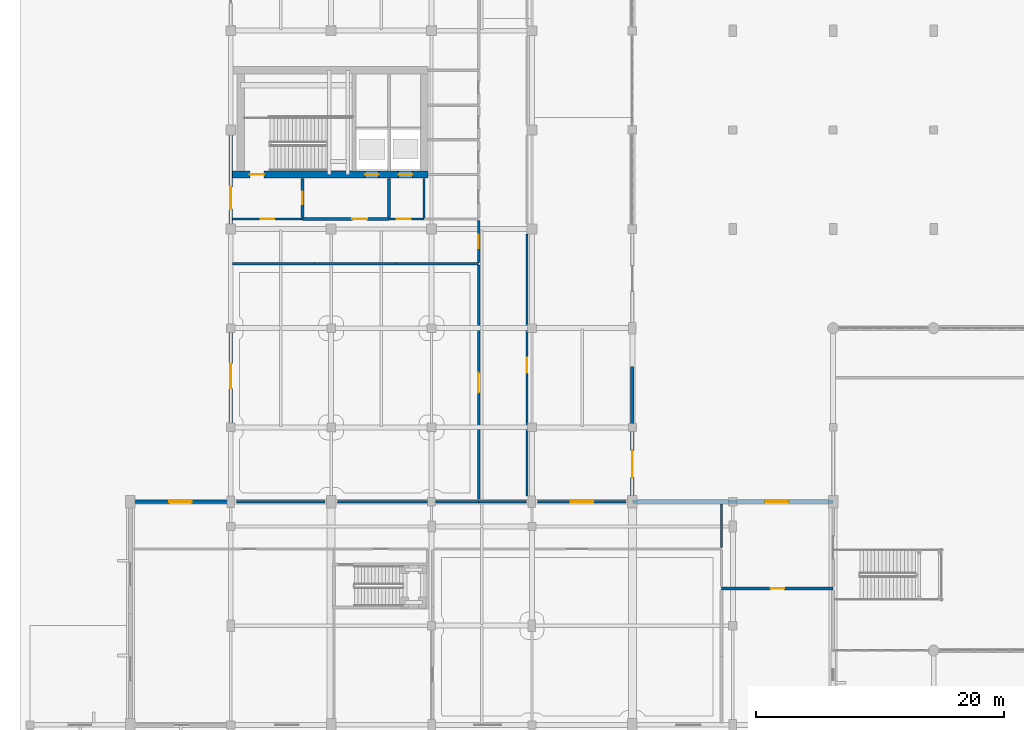
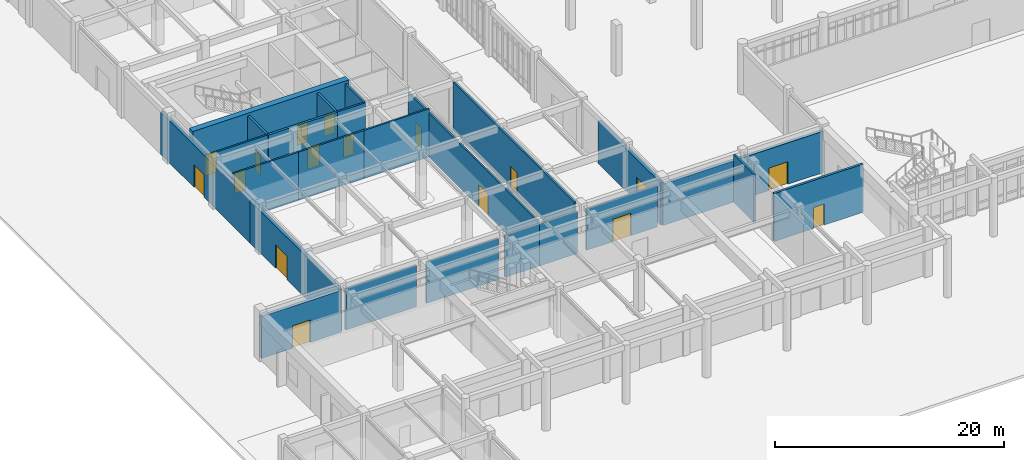
# One storey, part 42 of 62: 25 walls, 17 doors, 17 openings.
"""IFC4 building model written with IfcOpenShell, lengths in metres."""

from ifc_helpers import new_model, si_unit, direction, frame, frame_2d, origin, place, context, subcontext, project, spatial, rectangle, extrude, material, layer, layer_set, type_object, element, fill, save


model = new_model("IFC4")

# Units and contexts
model_context = context("Model", 3, precision=1e-05, world=origin(), true_north=direction((0.0, 1.0)))
body_context = subcontext(model_context, "Body", "Model", "MODEL_VIEW")
ifc_project = project(units=[si_unit("LENGTHUNIT", "METRE"), si_unit("AREAUNIT", "SQUARE_METRE"), si_unit("VOLUMEUNIT", "CUBIC_METRE"), si_unit("PLANEANGLEUNIT", "RADIAN"), si_unit("MASSUNIT", "GRAM", prefix="KILO")], contexts=[model_context])

# Site, building, storey
site_placement = place(None, origin())
site = spatial("IfcSite", under=ifc_project, at=site_placement, CompositionType="ELEMENT")
building_placement = place(site_placement, origin())
building = spatial("IfcBuilding", under=site, at=building_placement, Name="Tarnveldt Square Police Headquarters", CompositionType="ELEMENT")
storey_placement = place(building_placement, origin())
storey = spatial("IfcBuildingStorey", under=building, at=storey_placement, Name="L00", CompositionType="ELEMENT", Elevation=0.0)

# Wall, openings, doors
ifc_material_1 = material(Name="Concrete 50 MPa", Category="concrete")
ifc_layer_1 = layer(ifc_material_1, 0.60009765625)
ifc_layer_set_1 = layer_set([ifc_layer_1], Name="Concrete 50 MPa")
wall_type_1 = type_object("IfcWallType", Name="WL-CORE-600", PredefinedType="SHEAR", material=ifc_layer_set_1)
wall_1_placement = place(storey_placement, frame((16.360107421875, 60.39990234375, 0.0), z_axis=(0.0, 0.0, 1.0), x_axis=(1.0, 0.0, 0.0)))
wall_1 = element("IfcWall", 1, at=wall_1_placement, inside=storey, type_object=wall_type_1, Name="Core K1 South-West Command and Firefighting Core L00 South Shear Wall", PredefinedType="SHEAR", context=body_context, shape_type="SweptSolid", body=[
    extrude(rectangle(XDim=15.739990234375, YDim=0.60009765625, at=frame_2d((7.8701171875, 0.0))), origin(), (0.0, 0.0, 1.0), 5.39990234375),
])
opening_1_placement = place(wall_1_placement, frame((1.389892578125, 0.0, 0.0)))
opening_1 = element("IfcOpeningElement", 2, at=opening_1_placement, cuts=wall_1, Name="Opening D-ST1-L00", PredefinedType="OPENING", context=body_context, shape_type="SweptSolid", body=[
    extrude(rectangle(XDim=1.14990234375, YDim=2.25, at=frame_2d((0.574951171875, 1.125))), frame((0.0, 0.31005859375, 0.0), z_axis=(0.0, -1.0, 0.0), x_axis=(1.0, 0.0, 0.0)), (0.0, 0.0, 1.0), 0.6201171875),
])
opening_2_placement = place(wall_1_placement, frame((10.672607421875, 0.0, 0.0)))
opening_2 = element("IfcOpeningElement", 3, at=opening_2_placement, cuts=wall_1, Name="Opening LD-LF1-L00", PredefinedType="OPENING", context=body_context, shape_type="SweptSolid", body=[
    extrude(rectangle(XDim=1.10009765625, YDim=2.199951171875, at=frame_2d((0.550048828125, 1.10009765625))), frame((0.0, 0.31005859375, 0.0), z_axis=(0.0, -1.0, 0.0), x_axis=(1.0, 0.0, 0.0)), (0.0, 0.0, 1.0), 0.6201171875),
])
opening_3_placement = place(wall_1_placement, frame((13.387451171875, 0.0, 0.0)))
opening_3 = element("IfcOpeningElement", 4, at=opening_3_placement, cuts=wall_1, Name="Opening LD-LP1-L00", PredefinedType="OPENING", context=body_context, shape_type="SweptSolid", body=[
    extrude(rectangle(XDim=1.10009765625, YDim=2.199951171875, at=frame_2d((0.550048828125, 1.10009765625))), frame((0.0, 0.31005859375, 0.0), z_axis=(0.0, -1.0, 0.0), x_axis=(1.0, 0.0, 0.0)), (0.0, 0.0, 1.0), 0.6201171875),
])
ifc_material_2 = material(Name="Insulated hollow metal steel door leaf", Category="steel")
door_type_1 = type_object("IfcDoorType", Name="DR-FD90-1150", OperationType="NOTDEFINED", PredefinedType="DOOR", material=ifc_material_2)
door_1_placement = place(opening_1_placement, frame((1.14990234375, 0.0, 0.0), z_axis=(0.0, 0.0, 1.0), x_axis=(-1.0, 0.0, 0.0)))
door_1 = element("IfcDoor", 5, at=door_1_placement, inside=storey, type_object=door_type_1, Name="Exit Stair ST1 L00 Fire Door", OperationType="SINGLE_SWING_RIGHT", OverallHeight=2.25, OverallWidth=1.14990234375, PredefinedType="DOOR", context=body_context, shape_type="SweptSolid", body=[
    extrude(rectangle(XDim=1.14990234375, YDim=2.25, at=frame_2d((0.574951171875, 1.125))), frame((0.0, 0.02490234375, 0.0), z_axis=(0.0, -1.0, 0.0), x_axis=(1.0, 0.0, 0.0)), (0.0, 0.0, 1.0), 0.050048828125),
])
fill(opening_1, door_1)
ifc_material_3 = material(Name="Steel 350W", Category="steel")
door_type_2 = type_object("IfcDoorType", Name="DR-LD-1100", OperationType="DOUBLE_DOOR_SLIDING", PredefinedType="DOOR", material=ifc_material_3)
door_2_placement = place(opening_2_placement, frame((1.10009765625, 0.0, 0.0), z_axis=(0.0, 0.0, 1.0), x_axis=(-1.0, 0.0, 0.0)))
door_2 = element("IfcDoor", 6, at=door_2_placement, inside=storey, type_object=door_type_2, Name="Elevator LF1 L00 Sliding Landing Door", OperationType="DOUBLE_DOOR_SLIDING", OverallHeight=2.199951171875, OverallWidth=1.10009765625, PredefinedType="DOOR", context=body_context, shape_type="SweptSolid", body=[
    extrude(rectangle(XDim=1.10009765625, YDim=2.199951171875, at=frame_2d((0.550048828125, 1.10009765625))), frame((0.0, 0.02490234375, 0.0), z_axis=(0.0, -1.0, 0.0), x_axis=(1.0, 0.0, 0.0)), (0.0, 0.0, 1.0), 0.050048828125),
])
fill(opening_2, door_2)
door_3_placement = place(opening_3_placement, frame((1.10009765625, 0.0, 0.0), z_axis=(0.0, 0.0, 1.0), x_axis=(-1.0, 0.0, 0.0)))
door_3 = element("IfcDoor", 7, at=door_3_placement, inside=storey, type_object=door_type_2, Name="Elevator LP1 L00 Sliding Landing Door", OperationType="DOUBLE_DOOR_SLIDING", OverallHeight=2.199951171875, OverallWidth=1.10009765625, PredefinedType="DOOR", context=body_context, shape_type="SweptSolid", body=[
    extrude(rectangle(XDim=1.10009765625, YDim=2.199951171875, at=frame_2d((0.550048828125, 1.10009765625))), frame((0.0, 0.02490234375, 0.0), z_axis=(0.0, -1.0, 0.0), x_axis=(1.0, 0.0, 0.0)), (0.0, 0.0, 1.0), 0.050048828125),
])
fill(opening_3, door_3)

# Wall, opening, door
ifc_material_4 = material(Name="Concrete 40 MPa", Category="concrete")
ifc_layer_2 = layer(ifc_material_4, 0.320068359375)
ifc_layer_set_2 = layer_set([ifc_layer_2], Name="Concrete 40 MPa")
wall_type_2 = type_object("IfcWallType", Name="WL-EXT-BH320", PredefinedType="SOLIDWALL", material=ifc_layer_set_2)
wall_2_placement = place(storey_placement, frame((64.800048828125, 34.0, 0.0), z_axis=(0.0, 0.0, 1.0), x_axis=(-1.0, 0.0, 0.0)))
wall_2 = element("IfcWall", 8, at=wall_2_placement, inside=storey, type_object=wall_type_2, Name="L00 Brutalist Exterior Wall 0027", PredefinedType="SOLIDWALL", context=body_context, shape_type="SweptSolid", body=[
    extrude(rectangle(XDim=16.199951171875, YDim=0.320068359375, at=frame_2d((8.10009765625, 0.0))), origin(), (0.0, 0.0, 1.0), 4.412109375),
])
opening_4_placement = place(wall_2_placement, frame((3.5859375, 0.0, 0.0)))
opening_4 = element("IfcOpeningElement", 9, at=opening_4_placement, cuts=wall_2, Name="Opening D-E11", PredefinedType="OPENING", context=body_context, shape_type="SweptSolid", body=[
    extrude(rectangle(XDim=1.89990234375, YDim=2.39990234375, at=frame_2d((0.949951171875, 1.199951171875))), frame((0.0, 0.169921875, 0.0), z_axis=(0.0, -1.0, 0.0), x_axis=(1.0, 0.0, 0.0)), (0.0, 0.0, 1.0), 0.340087890625),
])
ifc_material_5 = material(Name="Thermally broken anodised aluminium 6063-T6", Category="aluminium")
door_type_3 = type_object("IfcDoorType", Name="DR-EXIT-1900", OperationType="DOUBLE_DOOR_SINGLE_SWING", PredefinedType="DOOR", material=ifc_material_5)
door_4_placement = place(opening_4_placement, frame((1.89990234375, 0.0, 0.0), z_axis=(0.0, 0.0, 1.0), x_axis=(-1.0, 0.0, 0.0)))
door_4 = element("IfcDoor", 10, at=door_4_placement, inside=storey, type_object=door_type_3, Name="Pedestrian Grade Final Exit Door D-E11", OperationType="DOUBLE_DOOR_SINGLE_SWING", OverallHeight=2.39990234375, OverallWidth=1.89990234375, PredefinedType="DOOR", context=body_context, shape_type="SweptSolid", body=[
    extrude(rectangle(XDim=1.89990234375, YDim=2.39990234375, at=frame_2d((0.949951171875, 1.199951171875))), frame((0.0, 0.02490234375, 0.0), z_axis=(0.0, -1.0, 0.0), x_axis=(1.0, 0.0, 0.0)), (0.0, 0.0, 1.0), 0.050048828125),
])
fill(opening_4, door_4)

wall_3_placement = place(storey_placement, frame((16.199951171875, 34.0, 0.0), z_axis=(0.0, 0.0, 1.0), x_axis=(-1.0, 0.0, 0.0)))
wall_3 = element("IfcWall", 11, at=wall_3_placement, inside=storey, type_object=wall_type_2, Name="L00 Brutalist Exterior Wall 0045", PredefinedType="SOLIDWALL", context=body_context, shape_type="SweptSolid", body=[
    extrude(rectangle(XDim=8.099853515625, YDim=0.320068359375, at=frame_2d((4.0498046875, 0.0))), origin(), (0.0, 0.0, 1.0), 4.4619140625),
])
opening_5_placement = place(wall_3_placement, frame((3.14990234375, 0.0, 0.0)))
opening_5 = element("IfcOpeningElement", 12, at=opening_5_placement, cuts=wall_3, Name="Opening D-E22", PredefinedType="OPENING", context=body_context, shape_type="SweptSolid", body=[
    extrude(rectangle(XDim=1.800048828125, YDim=2.39990234375, at=frame_2d((0.89990234375, 1.199951171875))), frame((0.0, 0.169921875, 0.0), z_axis=(0.0, -1.0, 0.0), x_axis=(1.0, 0.0, 0.0)), (0.0, 0.0, 1.0), 0.340087890625),
])
door_type_4 = type_object("IfcDoorType", Name="DR-EXIT-1800", OperationType="DOUBLE_DOOR_SINGLE_SWING", PredefinedType="DOOR", material=ifc_material_5)
door_5_placement = place(opening_5_placement, frame((1.800048828125, 0.0, 0.0), z_axis=(0.0, 0.0, 1.0), x_axis=(-1.0, 0.0, 0.0)))
door_5 = element("IfcDoor", 13, at=door_5_placement, inside=storey, type_object=door_type_4, Name="Exit Stair ST6 Grade Final Exit Door D-E22", OperationType="DOUBLE_DOOR_SINGLE_SWING", OverallHeight=2.39990234375, OverallWidth=1.800048828125, PredefinedType="DOOR", context=body_context, shape_type="SweptSolid", body=[
    extrude(rectangle(XDim=1.800048828125, YDim=2.39990234375, at=frame_2d((0.89990234375, 1.199951171875))), frame((0.0, 0.02490234375, 0.0), z_axis=(0.0, -1.0, 0.0), x_axis=(1.0, 0.0, 0.0)), (0.0, 0.0, 1.0), 0.050048828125),
])
fill(opening_5, door_5)

ifc_material_6 = material(Name="Manganese ironspot clay brick masonry 20 MPa", Category="masonry")
ifc_layer_3 = layer(ifc_material_6, 0.300048828125)
ifc_layer_set_3 = layer_set([ifc_layer_3], Name="Manganese ironspot clay brick masonry 20 MPa")
wall_type_3 = type_object("IfcWallType", Name="WL-EXT-BRK300", PredefinedType="SOLIDWALL", material=ifc_layer_set_3)
wall_4_placement = place(storey_placement, frame((48.60009765625, 34.0, 0.0), z_axis=(0.0, 0.0, 1.0), x_axis=(0.0, 1.0, 0.0)))
wall_4 = element("IfcWall", 14, at=wall_4_placement, inside=storey, type_object=wall_type_3, Name="L00 Brutalist Exterior Wall 0028", PredefinedType="SOLIDWALL", context=body_context, shape_type="SweptSolid", body=[
    extrude(rectangle(XDim=10.909912109375, YDim=0.300048828125, at=frame_2d((5.455078125, 0.0))), origin(), (0.0, 0.0, 1.0), 4.511962890625),
])
opening_6_placement = place(wall_4_placement, frame((1.954833984375, 0.0, 0.0)))
opening_6 = element("IfcOpeningElement", 15, at=opening_6_placement, cuts=wall_4, Name="Opening D-E12", PredefinedType="OPENING", context=body_context, shape_type="SweptSolid", body=[
    extrude(rectangle(XDim=2.199951171875, YDim=2.60009765625, at=frame_2d((1.10009765625, 1.300048828125))), frame((0.0, 0.159912109375, 0.0), z_axis=(0.0, -1.0, 0.0), x_axis=(1.0, 0.0, 0.0)), (0.0, 0.0, 1.0), 0.320068359375),
])
door_type_5 = type_object("IfcDoorType", Name="DR-EXIT-2200", OperationType="DOUBLE_DOOR_SINGLE_SWING", PredefinedType="DOOR", material=ifc_material_5)
door_6_placement = place(opening_6_placement, frame((2.199951171875, 0.0, 0.0), z_axis=(0.0, 0.0, 1.0), x_axis=(-1.0, 0.0, 0.0)))
door_6 = element("IfcDoor", 16, at=door_6_placement, inside=storey, type_object=door_type_5, Name="Pedestrian Grade Final Exit Door D-E12", OperationType="DOUBLE_DOOR_SINGLE_SWING", OverallHeight=2.60009765625, OverallWidth=2.199951171875, PredefinedType="DOOR", context=body_context, shape_type="SweptSolid", body=[
    extrude(rectangle(XDim=2.199951171875, YDim=2.60009765625, at=frame_2d((1.10009765625, 1.300048828125))), frame((0.0, 0.02490234375, 0.0), z_axis=(0.0, -1.0, 0.0), x_axis=(1.0, 0.0, 0.0)), (0.0, 0.0, 1.0), 0.050048828125),
])
fill(opening_6, door_6)

wall_5_placement = place(storey_placement, frame((16.199951171875, 65.199951171875, 0.0), z_axis=(0.0, 0.0, 1.0), x_axis=(0.0, -1.0, 0.0)))
wall_5 = element("IfcWall", 17, at=wall_5_placement, inside=storey, type_object=wall_type_3, Name="L00 Brutalist Exterior Wall 0043", PredefinedType="SOLIDWALL", context=body_context, shape_type="SweptSolid", body=[
    extrude(rectangle(XDim=15.599853515625, YDim=0.300048828125, at=frame_2d((7.7998046875, 0.0))), origin(), (0.0, 0.0, 1.0), 4.511962890625),
])
opening_7_placement = place(wall_5_placement, frame((5.800048828125, 0.0, 0.0)))
opening_7 = element("IfcOpeningElement", 18, at=opening_7_placement, cuts=wall_5, Name="Opening D-E18", PredefinedType="OPENING", context=body_context, shape_type="SweptSolid", body=[
    extrude(rectangle(XDim=1.800048828125, YDim=2.39990234375, at=frame_2d((0.89990234375, 1.199951171875))), frame((0.0, 0.159912109375, 0.0), z_axis=(0.0, -1.0, 0.0), x_axis=(1.0, 0.0, 0.0)), (0.0, 0.0, 1.0), 0.320068359375),
])
door_7_placement = place(opening_7_placement, frame((1.800048828125, 0.0, 0.0), z_axis=(0.0, 0.0, 1.0), x_axis=(-1.0, 0.0, 0.0)))
door_7 = element("IfcDoor", 19, at=door_7_placement, inside=storey, type_object=door_type_4, Name="Exit Stair ST1 Grade Final Exit Door D-E18", OperationType="DOUBLE_DOOR_SINGLE_SWING", OverallHeight=2.39990234375, OverallWidth=1.800048828125, PredefinedType="DOOR", context=body_context, shape_type="SweptSolid", body=[
    extrude(rectangle(XDim=1.800048828125, YDim=2.39990234375, at=frame_2d((0.89990234375, 1.199951171875))), frame((0.0, 0.02490234375, 0.0), z_axis=(0.0, -1.0, 0.0), x_axis=(1.0, 0.0, 0.0)), (0.0, 0.0, 1.0), 0.050048828125),
])
fill(opening_7, door_7)

wall_6_placement = place(storey_placement, frame((16.199951171875, 49.60009765625, 0.0), z_axis=(0.0, 0.0, 1.0), x_axis=(0.0, -1.0, 0.0)))
wall_6 = element("IfcWall", 20, at=wall_6_placement, inside=storey, type_object=wall_type_3, Name="L00 Brutalist Exterior Wall 0044", PredefinedType="SOLIDWALL", context=body_context, shape_type="SweptSolid", body=[
    extrude(rectangle(XDim=15.60009765625, YDim=0.300048828125, at=frame_2d((7.800048828125, 0.0))), origin(), (0.0, 0.0, 1.0), 4.511962890625),
])
opening_8_placement = place(wall_6_placement, frame((4.4599609375, 0.0, 0.0)))
opening_8 = element("IfcOpeningElement", 21, at=opening_8_placement, cuts=wall_6, Name="Opening D-E17", PredefinedType="OPENING", context=body_context, shape_type="SweptSolid", body=[
    extrude(rectangle(XDim=2.0, YDim=2.5, at=frame_2d((1.0, 1.25))), frame((0.0, 0.159912109375, 0.0), z_axis=(0.0, -1.0, 0.0), x_axis=(1.0, 0.0, 0.0)), (0.0, 0.0, 1.0), 0.320068359375),
])
door_type_6 = type_object("IfcDoorType", Name="DR-EXIT-2000", OperationType="DOUBLE_DOOR_SINGLE_SWING", PredefinedType="DOOR", material=ifc_material_5)
door_8_placement = place(opening_8_placement, frame((2.0, 0.0, 0.0), z_axis=(0.0, 0.0, 1.0), x_axis=(-1.0, 0.0, 0.0)))
door_8 = element("IfcDoor", 22, at=door_8_placement, inside=storey, type_object=door_type_6, Name="Pedestrian Grade Final Exit Door D-E17", OperationType="DOUBLE_DOOR_SINGLE_SWING", OverallHeight=2.5, OverallWidth=2.0, PredefinedType="DOOR", context=body_context, shape_type="SweptSolid", body=[
    extrude(rectangle(XDim=2.0, YDim=2.5, at=frame_2d((1.0, 1.25))), frame((0.0, 0.02490234375, 0.0), z_axis=(0.0, -1.0, 0.0), x_axis=(1.0, 0.0, 0.0)), (0.0, 0.0, 1.0), 0.050048828125),
])
fill(opening_8, door_8)

# Walls
ifc_material_7 = material(Name="Fire-rated Type X gypsum board on steel studs", Category="steel")
ifc_layer_4 = layer(ifc_material_7, 0.179931640625)
ifc_layer_set_4 = layer_set([ifc_layer_4], Name="Fire-rated Type X gypsum board on steel studs")
wall_type_4 = type_object("IfcWallType", Name="WL-FIRE-180", PredefinedType="PARTITIONING", material=ifc_layer_set_4)
wall_7_placement = place(storey_placement, frame((16.657958984375, 34.0, 0.0), z_axis=(0.0, 0.0, 1.0), x_axis=(1.0, 0.0, 0.0)))
element("IfcWall", 23, at=wall_7_placement, inside=storey, type_object=wall_type_4, Name="L00 Interior Partition Wall 0104", PredefinedType="PARTITIONING", context=body_context, shape_type="SweptSolid", body=[
    extrude(rectangle(XDim=7.134033203125, YDim=0.179931640625, at=frame_2d((3.56689453125, 0.0))), origin(), (0.0, 0.0, 1.0), 4.412109375),
])
wall_8_placement = place(storey_placement, frame((24.80810546875, 34.0, 0.0), z_axis=(0.0, 0.0, 1.0), x_axis=(1.0, 0.0, 0.0)))
element("IfcWall", 24, at=wall_8_placement, inside=storey, type_object=wall_type_4, Name="L00 Interior Partition Wall 0105", PredefinedType="PARTITIONING", context=body_context, shape_type="SweptSolid", body=[
    extrude(rectangle(XDim=7.2587890625, YDim=0.179931640625, at=frame_2d((3.62939453125, 0.0))), origin(), (0.0, 0.0, 1.0), 4.412109375),
])
wall_9_placement = place(storey_placement, frame((32.73291015625, 34.0, 0.0), z_axis=(0.0, 0.0, 1.0), x_axis=(1.0, 0.0, 0.0)))
element("IfcWall", 25, at=wall_9_placement, inside=storey, type_object=wall_type_4, Name="L00 Interior Partition Wall 0106", PredefinedType="PARTITIONING", context=body_context, shape_type="SweptSolid", body=[
    extrude(rectangle(XDim=3.467041015625, YDim=0.179931640625, at=frame_2d((1.7333984375, 0.0))), origin(), (0.0, 0.0, 1.0), 4.4619140625),
])
for number, where, z_axis, x_axis, name in (
    (26, (16.35791015625, 53.199951171875, 0.0), (0.0, 0.0, 1.0), (1.0, 0.0, 0.0), "L00 Interior Partition Wall 0107"),
    (27, (22.971923828125, 53.199951171875, 0.0), (0.0, 0.0, 1.0), (1.0, 0.0, 0.0), "L00 Interior Partition Wall 0108"),
    (28, (29.5859375, 53.199951171875, 0.0), (0.0, 0.0, 1.0), (1.0, 0.0, 0.0), "L00 Interior Partition Wall 0109"),
):
    element("IfcWall", number, at=place(storey_placement, frame(where, z_axis=z_axis, x_axis=x_axis)), inside=storey, type_object=wall_type_4, Name=name, PredefinedType="PARTITIONING", context=body_context, shape_type="SweptSolid", body=[
        extrude(rectangle(XDim=6.614013671875, YDim=0.179931640625, at=frame_2d((3.30712890625, 0.0))), origin(), (0.0, 0.0, 1.0), 5.1201171875),
    ])

# Wall, opening, door
wall_10_placement = place(storey_placement, frame((16.35791015625, 56.800048828125, 0.0), z_axis=(0.0, 0.0, 1.0), x_axis=(1.0, 0.0, 0.0)))
wall_10 = element("IfcWall", 29, at=wall_10_placement, inside=storey, type_object=wall_type_4, Name="L00 Interior Partition Wall 0110", PredefinedType="PARTITIONING", context=body_context, shape_type="SweptSolid", body=[
    extrude(rectangle(XDim=5.64208984375, YDim=0.179931640625, at=frame_2d((2.821044921875, 0.0))), origin(), (0.0, 0.0, 1.0), 5.1201171875),
])
opening_9_placement = place(wall_10_placement, frame((2.27099609375, 0.0, 0.0)))
opening_9 = element("IfcOpeningElement", 30, at=opening_9_placement, cuts=wall_10, Name="Opening D15", PredefinedType="OPENING", context=body_context, shape_type="SweptSolid", body=[
    extrude(rectangle(XDim=1.10009765625, YDim=2.199951171875, at=frame_2d((0.550048828125, 1.10009765625))), frame((0.0, 0.099853515625, 0.0), z_axis=(0.0, -1.0, 0.0), x_axis=(1.0, 0.0, 0.0)), (0.0, 0.0, 1.0), 0.199951171875),
])
door_type_7 = type_object("IfcDoorType", Name="DR-FD60-1100", OperationType="NOTDEFINED", PredefinedType="DOOR", material=ifc_material_2)
door_9_placement = place(opening_9_placement, frame((1.10009765625, 0.0, 0.0), z_axis=(0.0, 0.0, 1.0), x_axis=(-1.0, 0.0, 0.0)))
door_9 = element("IfcDoor", 31, at=door_9_placement, inside=storey, type_object=door_type_7, Name="Core Stair Lobby K1-L00 Door", OperationType="SINGLE_SWING_LEFT", OverallHeight=2.199951171875, OverallWidth=1.10009765625, PredefinedType="DOOR", context=body_context, shape_type="SweptSolid", body=[
    extrude(rectangle(XDim=1.10009765625, YDim=2.199951171875, at=frame_2d((0.550048828125, 1.10009765625))), frame((0.0, 0.02490234375, 0.0), z_axis=(0.0, -1.0, 0.0), x_axis=(1.0, 0.0, 0.0)), (0.0, 0.0, 1.0), 0.050048828125),
])
fill(opening_9, door_9)

wall_11_placement = place(storey_placement, frame((28.97509765625, 56.800048828125, 0.0), z_axis=(0.0, 0.0, 1.0), x_axis=(1.0, 0.0, 0.0)))
wall_11 = element("IfcWall", 32, at=wall_11_placement, inside=storey, type_object=wall_type_4, Name="L00 Interior Partition Wall 0118", PredefinedType="PARTITIONING", context=body_context, shape_type="SweptSolid", body=[
    extrude(rectangle(XDim=2.824951171875, YDim=0.179931640625, at=frame_2d((1.41259765625, 0.0))), origin(), (0.0, 0.0, 1.0), 5.1201171875),
])
opening_10_placement = place(wall_11_placement, frame((0.636474609375, 0.0, 0.0)))
opening_10 = element("IfcOpeningElement", 33, at=opening_10_placement, cuts=wall_11, Name="Opening D15", PredefinedType="OPENING", context=body_context, shape_type="SweptSolid", body=[
    extrude(rectangle(XDim=1.10009765625, YDim=2.199951171875, at=frame_2d((0.550048828125, 1.10009765625))), frame((0.0, 0.099853515625, 0.0), z_axis=(0.0, -1.0, 0.0), x_axis=(1.0, 0.0, 0.0)), (0.0, 0.0, 1.0), 0.199951171875),
])
door_10_placement = place(opening_10_placement, frame((1.10009765625, 0.0, 0.0), z_axis=(0.0, 0.0, 1.0), x_axis=(-1.0, 0.0, 0.0)))
door_10 = element("IfcDoor", 34, at=door_10_placement, inside=storey, type_object=door_type_7, Name="Passenger Lift Lobby K1-L00 Door", OperationType="SINGLE_SWING_RIGHT", OverallHeight=2.199951171875, OverallWidth=1.10009765625, PredefinedType="DOOR", context=body_context, shape_type="SweptSolid", body=[
    extrude(rectangle(XDim=1.10009765625, YDim=2.199951171875, at=frame_2d((0.550048828125, 1.10009765625))), frame((0.0, 0.02490234375, 0.0), z_axis=(0.0, -1.0, 0.0), x_axis=(1.0, 0.0, 0.0)), (0.0, 0.0, 1.0), 0.050048828125),
])
fill(opening_10, door_10)

# Wall
wall_12_placement = place(storey_placement, frame((36.199951171875, 34.0, 0.0), z_axis=(0.0, 0.0, 1.0), x_axis=(1.0, 0.0, 0.0)))
element("IfcWall", 35, at=wall_12_placement, inside=storey, type_object=wall_type_4, Name="L00 Interior Partition Wall 0127", PredefinedType="PARTITIONING", context=body_context, shape_type="SweptSolid", body=[
    extrude(rectangle(XDim=3.842041015625, YDim=0.179931640625, at=frame_2d((1.9208984375, 0.0))), origin(), (0.0, 0.0, 1.0), 4.4619140625),
])

# Wall, opening, door
wall_13_placement = place(storey_placement, frame((40.9580078125, 34.0, 0.0), z_axis=(0.0, 0.0, 1.0), x_axis=(1.0, 0.0, 0.0)))
wall_13 = element("IfcWall", 36, at=wall_13_placement, inside=storey, type_object=wall_type_4, Name="L00 Interior Partition Wall 0128", PredefinedType="PARTITIONING", context=body_context, shape_type="SweptSolid", body=[
    extrude(rectangle(XDim=7.134033203125, YDim=0.179931640625, at=frame_2d((3.56689453125, 0.0))), origin(), (0.0, 0.0, 1.0), 4.412109375),
])
opening_11_placement = place(wall_13_placement, frame((2.6669921875, 0.0, 0.0)))
opening_11 = element("IfcOpeningElement", 37, at=opening_11_placement, cuts=wall_13, Name="Opening D24", PredefinedType="OPENING", context=body_context, shape_type="SweptSolid", body=[
    extrude(rectangle(XDim=1.800048828125, YDim=2.39990234375, at=frame_2d((0.89990234375, 1.199951171875))), frame((0.0, 0.099853515625, 0.0), z_axis=(0.0, -1.0, 0.0), x_axis=(1.0, 0.0, 0.0)), (0.0, 0.0, 1.0), 0.199951171875),
])
door_type_8 = type_object("IfcDoorType", Name="DR-PAIR-1800", OperationType="DOUBLE_DOOR_SINGLE_SWING", PredefinedType="DOOR", material=ifc_material_2)
door_11_placement = place(opening_11_placement, origin())
door_11 = element("IfcDoor", 38, at=door_11_placement, inside=storey, type_object=door_type_8, Name="Winter-Garden Circulation Concourse Door", OperationType="DOUBLE_DOOR_SINGLE_SWING", OverallHeight=2.39990234375, OverallWidth=1.800048828125, PredefinedType="DOOR", context=body_context, shape_type="SweptSolid", body=[
    extrude(rectangle(XDim=1.800048828125, YDim=2.39990234375, at=frame_2d((0.89990234375, 1.199951171875))), frame((0.0, 0.02490234375, 0.0), z_axis=(0.0, -1.0, 0.0), x_axis=(1.0, 0.0, 0.0)), (0.0, 0.0, 1.0), 0.050048828125),
])
fill(opening_11, door_11)

# Wall
wall_14_placement = place(storey_placement, frame((31.800048828125, 56.89794921875, 0.0), z_axis=(0.0, 0.0, 1.0), x_axis=(0.0, 1.0, 0.0)))
element("IfcWall", 39, at=wall_14_placement, inside=storey, type_object=wall_type_4, Name="L00 Interior Partition Wall 0150", PredefinedType="PARTITIONING", context=body_context, shape_type="SweptSolid", body=[
    extrude(rectangle(XDim=3.194091796875, YDim=0.179931640625, at=frame_2d((1.59716796875, 0.0))), origin(), (0.0, 0.0, 1.0), 5.1201171875),
])

# Wall, opening, door
wall_15_placement = place(storey_placement, frame((36.199951171875, 34.097900390625, 0.0), z_axis=(0.0, 0.0, 1.0), x_axis=(0.0, 1.0, 0.0)))
wall_15 = element("IfcWall", 40, at=wall_15_placement, inside=storey, type_object=wall_type_4, Name="L00 Interior Partition Wall 0155", PredefinedType="PARTITIONING", context=body_context, shape_type="SweptSolid", body=[
    extrude(rectangle(XDim=19.004150390625, YDim=0.179931640625, at=frame_2d((9.501953125, 0.0))), origin(), (0.0, 0.0, 1.0), 4.705078125),
])
opening_12_placement = place(wall_15_placement, frame((8.701904296875, 0.0, 0.0)))
opening_12 = element("IfcOpeningElement", 41, at=opening_12_placement, cuts=wall_15, Name="Opening D23", PredefinedType="OPENING", context=body_context, shape_type="SweptSolid", body=[
    extrude(rectangle(XDim=1.60009765625, YDim=2.35009765625, at=frame_2d((0.800048828125, 1.175048828125))), frame((0.0, 0.099853515625, 0.0), z_axis=(0.0, -1.0, 0.0), x_axis=(1.0, 0.0, 0.0)), (0.0, 0.0, 1.0), 0.199951171875),
])
ifc_material_8 = material(Name="Solid core architectural birch door leaf", Category="wood")
door_type_9 = type_object("IfcDoorType", Name="DR-PAIR-1600", OperationType="DOUBLE_DOOR_SINGLE_SWING", PredefinedType="DOOR", material=ifc_material_8)
door_12_placement = place(opening_12_placement, origin())
door_12 = element("IfcDoor", 42, at=door_12_placement, inside=storey, type_object=door_type_9, Name="Patrol Parade Briefing Room Door", OperationType="DOUBLE_DOOR_SINGLE_SWING", OverallHeight=2.35009765625, OverallWidth=1.60009765625, PredefinedType="DOOR", context=body_context, shape_type="SweptSolid", body=[
    extrude(rectangle(XDim=1.60009765625, YDim=2.35009765625, at=frame_2d((0.800048828125, 1.175048828125))), frame((0.0, 0.02490234375, 0.0), z_axis=(0.0, -1.0, 0.0), x_axis=(1.0, 0.0, 0.0)), (0.0, 0.0, 1.0), 0.050048828125),
])
fill(opening_12, door_12)

wall_16_placement = place(storey_placement, frame((36.199951171875, 53.298095703125, 0.0), z_axis=(0.0, 0.0, 1.0), x_axis=(0.0, 1.0, 0.0)))
wall_16 = element("IfcWall", 43, at=wall_16_placement, inside=storey, type_object=wall_type_4, Name="L00 Interior Partition Wall 0156", PredefinedType="PARTITIONING", context=body_context, shape_type="SweptSolid", body=[
    extrude(rectangle(XDim=3.40380859375, YDim=0.179931640625, at=frame_2d((1.701904296875, 0.0))), origin(), (0.0, 0.0, 1.0), 4.705078125),
])
opening_13_placement = place(wall_16_placement, frame((1.152099609375, 0.0, 0.0)))
opening_13 = element("IfcOpeningElement", 44, at=opening_13_placement, cuts=wall_16, Name="Opening D15", PredefinedType="OPENING", context=body_context, shape_type="SweptSolid", body=[
    extrude(rectangle(XDim=1.10009765625, YDim=2.199951171875, at=frame_2d((0.550048828125, 1.10009765625))), frame((0.0, 0.099853515625, 0.0), z_axis=(0.0, -1.0, 0.0), x_axis=(1.0, 0.0, 0.0)), (0.0, 0.0, 1.0), 0.199951171875),
])
door_13_placement = place(opening_13_placement, origin())
door_13 = element("IfcDoor", 45, at=door_13_placement, inside=storey, type_object=door_type_7, Name="Core K1 South Link Corridor L00 Door", OperationType="SINGLE_SWING_LEFT", OverallHeight=2.199951171875, OverallWidth=1.10009765625, PredefinedType="DOOR", context=body_context, shape_type="SweptSolid", body=[
    extrude(rectangle(XDim=1.10009765625, YDim=2.199951171875, at=frame_2d((0.550048828125, 1.10009765625))), frame((0.0, 0.02490234375, 0.0), z_axis=(0.0, -1.0, 0.0), x_axis=(1.0, 0.0, 0.0)), (0.0, 0.0, 1.0), 0.050048828125),
])
fill(opening_13, door_13)

wall_17_placement = place(storey_placement, frame((40.10009765625, 34.4580078125, 0.0), z_axis=(0.0, 0.0, 1.0), x_axis=(0.0, 1.0, 0.0)))
wall_17 = element("IfcWall", 46, at=wall_17_placement, inside=storey, type_object=wall_type_4, Name="L00 Interior Partition Wall 0165", PredefinedType="PARTITIONING", context=body_context, shape_type="SweptSolid", body=[
    extrude(rectangle(XDim=21.134033203125, YDim=0.179931640625, at=frame_2d((10.56689453125, 0.0))), origin(), (0.0, 0.0, 1.0), 5.1201171875),
])
opening_14_placement = place(wall_17_placement, frame((9.967041015625, 0.0, 0.0)))
opening_14 = element("IfcOpeningElement", 47, at=opening_14_placement, cuts=wall_17, Name="Opening D16", PredefinedType="OPENING", context=body_context, shape_type="SweptSolid", body=[
    extrude(rectangle(XDim=1.199951171875, YDim=2.199951171875, at=frame_2d((0.60009765625, 1.10009765625))), frame((0.0, 0.099853515625, 0.0), z_axis=(0.0, -1.0, 0.0), x_axis=(1.0, 0.0, 0.0)), (0.0, 0.0, 1.0), 0.199951171875),
])
door_type_10 = type_object("IfcDoorType", Name="DR-FD60-1200", OperationType="NOTDEFINED", PredefinedType="DOOR", material=ifc_material_2)
door_14_placement = place(opening_14_placement, origin())
door_14 = element("IfcDoor", 48, at=door_14_placement, inside=storey, type_object=door_type_10, Name="West Patrol Main Corridor Door", OperationType="SINGLE_SWING_RIGHT", OverallHeight=2.199951171875, OverallWidth=1.199951171875, PredefinedType="DOOR", context=body_context, shape_type="SweptSolid", body=[
    extrude(rectangle(XDim=1.199951171875, YDim=2.199951171875, at=frame_2d((0.60009765625, 1.10009765625))), frame((0.0, 0.02490234375, 0.0), z_axis=(0.0, -1.0, 0.0), x_axis=(1.0, 0.0, 0.0)), (0.0, 0.0, 1.0), 0.050048828125),
])
fill(opening_14, door_14)

# Wall
wall_18_placement = place(storey_placement, frame((55.800048828125, 30.298095703125, 0.0), z_axis=(0.0, 0.0, 1.0), x_axis=(0.0, 1.0, 0.0)))
element("IfcWall", 49, at=wall_18_placement, inside=storey, type_object=wall_type_4, Name="L00 Interior Partition Wall 0179", PredefinedType="PARTITIONING", context=body_context, shape_type="SweptSolid", body=[
    extrude(rectangle(XDim=3.533935546875, YDim=0.179931640625, at=frame_2d((1.76708984375, 0.0))), origin(), (0.0, 0.0, 1.0), 5.1201171875),
])

# Wall, opening, door
ifc_material_9 = material(Name="Concrete block masonry 15 MPa", Category="masonry")
ifc_layer_5 = layer(ifc_material_9, 0.239990234375)
ifc_layer_set_5 = layer_set([ifc_layer_5], Name="Concrete block masonry 15 MPa")
wall_type_5 = type_object("IfcWallType", Name="WL-FIRE-240", PredefinedType="PARTITIONING", material=ifc_layer_set_5)
wall_19_placement = place(storey_placement, frame((22.0, 56.800048828125, 0.0), z_axis=(0.0, 0.0, 1.0), x_axis=(1.0, 0.0, 0.0)))
wall_19 = element("IfcWall", 50, at=wall_19_placement, inside=storey, type_object=wall_type_5, Name="L00 Interior Partition Wall 0116", PredefinedType="PARTITIONING", context=body_context, shape_type="SweptSolid", body=[
    extrude(rectangle(XDim=6.97509765625, YDim=0.239990234375, at=frame_2d((3.487548828125, 0.0))), origin(), (0.0, 0.0, 1.0), 5.1201171875),
])
opening_15_placement = place(wall_19_placement, frame((4.00341796875, 0.0, 0.0)))
opening_15 = element("IfcOpeningElement", 51, at=opening_15_placement, cuts=wall_19, Name="Opening D20", PredefinedType="OPENING", context=body_context, shape_type="SweptSolid", body=[
    extrude(rectangle(XDim=1.199951171875, YDim=2.300048828125, at=frame_2d((0.60009765625, 1.14990234375))), frame((0.0, 0.1298828125, 0.0), z_axis=(0.0, -1.0, 0.0), x_axis=(1.0, 0.0, 0.0)), (0.0, 0.0, 1.0), 0.260009765625),
])
door_type_11 = type_object("IfcDoorType", Name="DR-FD90-1200", OperationType="NOTDEFINED", PredefinedType="DOOR", material=ifc_material_2)
door_15_placement = place(opening_15_placement, frame((1.199951171875, 0.0, 0.0), z_axis=(0.0, 0.0, 1.0), x_axis=(-1.0, 0.0, 0.0)))
door_15 = element("IfcDoor", 52, at=door_15_placement, inside=storey, type_object=door_type_11, Name="Firefighting Lift Lobby K1-L00 Door", OperationType="SINGLE_SWING_RIGHT", OverallHeight=2.300048828125, OverallWidth=1.199951171875, PredefinedType="DOOR", context=body_context, shape_type="SweptSolid", body=[
    extrude(rectangle(XDim=1.199951171875, YDim=2.300048828125, at=frame_2d((0.60009765625, 1.14990234375))), frame((0.0, 0.02490234375, 0.0), z_axis=(0.0, -1.0, 0.0), x_axis=(1.0, 0.0, 0.0)), (0.0, 0.0, 1.0), 0.050048828125),
])
fill(opening_15, door_15)

wall_20_placement = place(storey_placement, frame((55.800048828125, 27.0, 0.0), z_axis=(0.0, 0.0, 1.0), x_axis=(1.0, 0.0, 0.0)))
wall_20 = element("IfcWall", 53, at=wall_20_placement, inside=storey, type_object=wall_type_5, Name="L00 Interior Partition Wall 0131", PredefinedType="PARTITIONING", context=body_context, shape_type="SweptSolid", body=[
    extrude(rectangle(XDim=9.0, YDim=0.239990234375, at=frame_2d((4.5, 0.0))), origin(), (0.0, 0.0, 1.0), 5.1201171875),
])
opening_16_placement = place(wall_20_placement, frame((3.949951171875, 0.0, 0.0)))
opening_16 = element("IfcOpeningElement", 54, at=opening_16_placement, cuts=wall_20, Name="Opening D18", PredefinedType="OPENING", context=body_context, shape_type="SweptSolid", body=[
    extrude(rectangle(XDim=1.10009765625, YDim=2.25, at=frame_2d((0.550048828125, 1.125))), frame((0.0, 0.1298828125, 0.0), z_axis=(0.0, -1.0, 0.0), x_axis=(1.0, 0.0, 0.0)), (0.0, 0.0, 1.0), 0.260009765625),
])
door_type_12 = type_object("IfcDoorType", Name="DR-FD90-1100", OperationType="NOTDEFINED", PredefinedType="DOOR", material=ifc_material_2)
door_16_placement = place(opening_16_placement, frame((1.10009765625, 0.0, 0.0), z_axis=(0.0, 0.0, 1.0), x_axis=(-1.0, 0.0, 0.0)))
door_16 = element("IfcDoor", 55, at=door_16_placement, inside=storey, type_object=door_type_12, Name="Central Alarm and Control Facility (Fire Command Room) Door", OperationType="SINGLE_SWING_LEFT", OverallHeight=2.25, OverallWidth=1.10009765625, PredefinedType="DOOR", context=body_context, shape_type="SweptSolid", body=[
    extrude(rectangle(XDim=1.10009765625, YDim=2.25, at=frame_2d((0.550048828125, 1.125))), frame((0.0, 0.02490234375, 0.0), z_axis=(0.0, -1.0, 0.0), x_axis=(1.0, 0.0, 0.0)), (0.0, 0.0, 1.0), 0.050048828125),
])
fill(opening_16, door_16)

wall_21_placement = place(storey_placement, frame((22.0, 56.927978515625, 0.0), z_axis=(0.0, 0.0, 1.0), x_axis=(0.0, 1.0, 0.0)))
wall_21 = element("IfcWall", 56, at=wall_21_placement, inside=storey, type_object=wall_type_5, Name="L00 Interior Partition Wall 0144", PredefinedType="PARTITIONING", context=body_context, shape_type="SweptSolid", body=[
    extrude(rectangle(XDim=3.1640625, YDim=0.239990234375, at=frame_2d((1.58203125, 0.0))), origin(), (0.0, 0.0, 1.0), 5.1201171875),
])
opening_17_placement = place(wall_21_placement, frame((1.08203125, 0.0, 0.0)))
opening_17 = element("IfcOpeningElement", 57, at=opening_17_placement, cuts=wall_21, Name="Opening D17", PredefinedType="OPENING", context=body_context, shape_type="SweptSolid", body=[
    extrude(rectangle(XDim=1.0, YDim=2.199951171875, at=frame_2d((0.5, 1.10009765625))), frame((0.0, 0.1298828125, 0.0), z_axis=(0.0, -1.0, 0.0), x_axis=(1.0, 0.0, 0.0)), (0.0, 0.0, 1.0), 0.260009765625),
])
door_type_13 = type_object("IfcDoorType", Name="DR-FD90-1000", OperationType="NOTDEFINED", PredefinedType="DOOR", material=ifc_material_2)
door_17_placement = place(opening_17_placement, origin())
door_17 = element("IfcDoor", 58, at=door_17_placement, inside=storey, type_object=door_type_13, Name="Firefighting Lift Lobby K1-L00 Secondary Door", OperationType="SINGLE_SWING_RIGHT", OverallHeight=2.199951171875, OverallWidth=1.0, PredefinedType="DOOR", context=body_context, shape_type="SweptSolid", body=[
    extrude(rectangle(XDim=1.0, YDim=2.199951171875, at=frame_2d((0.5, 1.10009765625))), frame((0.0, 0.02490234375, 0.0), z_axis=(0.0, -1.0, 0.0), x_axis=(1.0, 0.0, 0.0)), (0.0, 0.0, 1.0), 0.050048828125),
])
fill(opening_17, door_17)

# Wall
wall_22_placement = place(storey_placement, frame((28.97509765625, 56.927978515625, 0.0), z_axis=(0.0, 0.0, 1.0), x_axis=(0.0, 1.0, 0.0)))
element("IfcWall", 59, at=wall_22_placement, inside=storey, type_object=wall_type_5, Name="L00 Interior Partition Wall 0147", PredefinedType="PARTITIONING", context=body_context, shape_type="SweptSolid", body=[
    extrude(rectangle(XDim=3.1640625, YDim=0.239990234375, at=frame_2d((1.58203125, 0.0))), origin(), (0.0, 0.0, 1.0), 5.1201171875),
])

save(model, "model.ifc")
